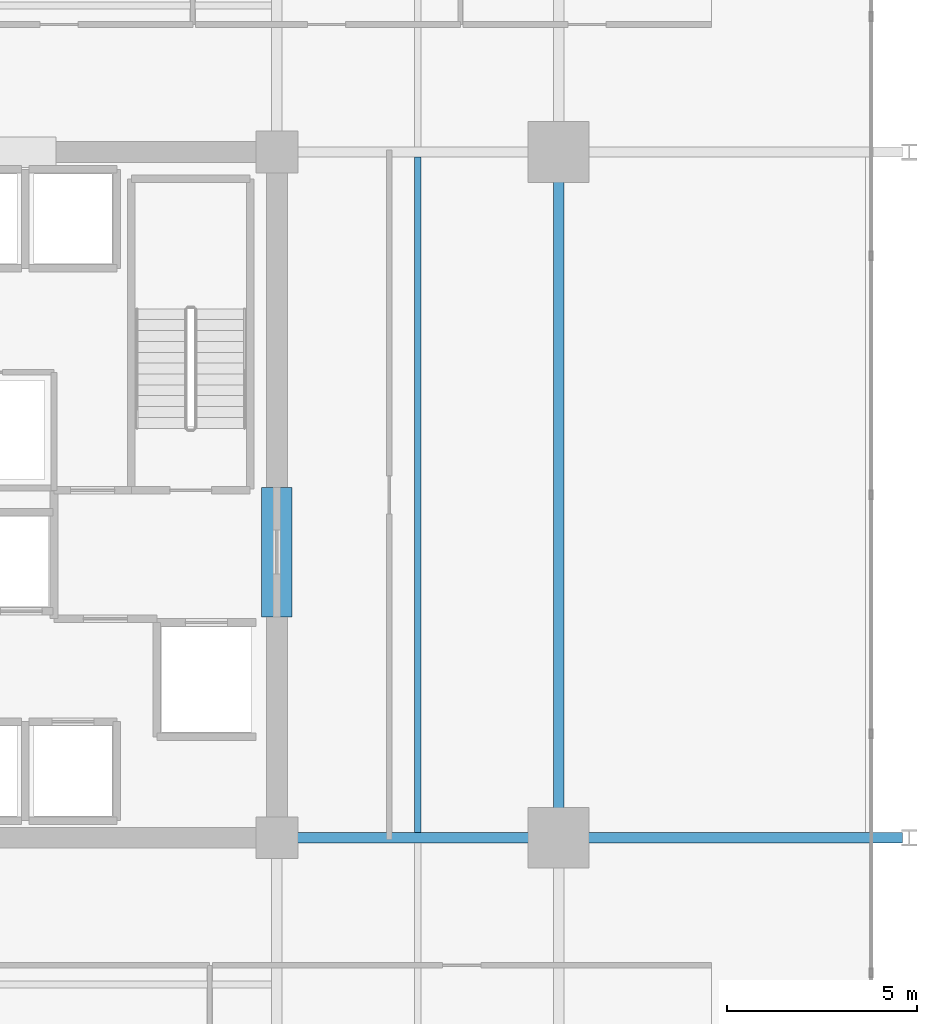
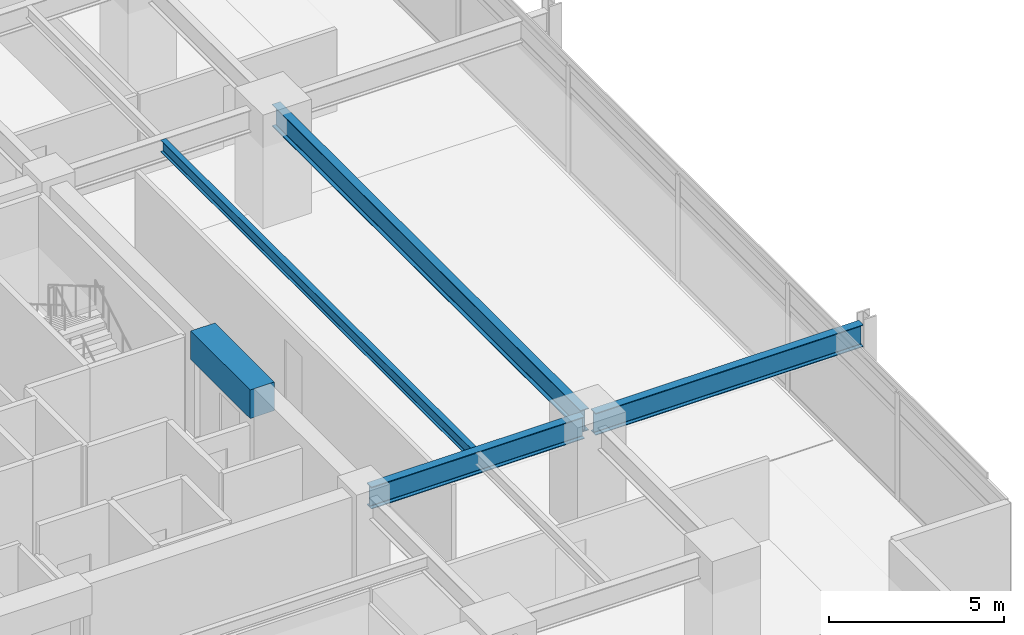
# One storey, part 8 of 21: 5 beams.
"""IFC4 building model written with IfcOpenShell, lengths in metres."""

from ifc_helpers import new_model, si_unit, direction, frame, origin, origin_2d, place, context, subcontext, project, spatial, rectangle, i_section, extrude, material, material_profile, profile_set, type_object, element, save


model = new_model("IFC4")

# Units and contexts
model_context = context("Model", 3, precision=1e-05, world=origin(), true_north=direction((0.0, 1.0)))
body_context = subcontext(model_context, "Body", "Model", "MODEL_VIEW")
ifc_project = project(units=[si_unit("LENGTHUNIT", "METRE"), si_unit("AREAUNIT", "SQUARE_METRE"), si_unit("VOLUMEUNIT", "CUBIC_METRE"), si_unit("PLANEANGLEUNIT", "RADIAN"), si_unit("MASSUNIT", "GRAM", prefix="KILO")], contexts=[model_context])

# Site, building, storey
site_placement = place(None, origin())
site = spatial("IfcSite", under=ifc_project, at=site_placement, CompositionType="ELEMENT")
building_placement = place(site_placement, origin())
building = spatial("IfcBuilding", under=site, at=building_placement, Name="Kovane Verandah Tower", CompositionType="ELEMENT")
storey_placement = place(building_placement, frame((0.0, 0.0, 152.39990234375)))
storey = spatial("IfcBuildingStorey", under=building, at=storey_placement, Name="L35", CompositionType="ELEMENT", Elevation=152.39990234375)

# Beams
ifc_material_1 = material(Name="Concrete C60/75", Category="concrete")
ifc_material_profile_1 = material_profile(ifc_material_1, rectangle(XDim=0.800048828125, YDim=1.0, at=origin_2d()), Name="RCB800x1000")
ifc_profile_set_1 = profile_set([ifc_material_profile_1], Name="Concrete C60/75")
beam_type_1 = type_object("IfcBeamType", Name="BM-LINTEL-800x1000", PredefinedType="LINTEL", material=ifc_profile_set_1)
beam_1_placement = place(storey_placement, frame((51.0, 24.300048828125, 3.275146484375), z_axis=(0.0, 1.0, 0.0), x_axis=(-1.0, 0.0, 0.0)))
element("IfcBeam", 1, at=beam_1_placement, inside=storey, type_object=beam_type_1, Name="L35 Core Coupling Lintel CL-E", PredefinedType="LINTEL", context=body_context, shape_type="SweptSolid", body=[
    extrude(rectangle(XDim=0.800048828125, YDim=1.0, at=origin_2d()), origin(), (0.0, 0.0, 1.0), 3.39990234375),
])
ifc_material_2 = material(Name="Steel S355", Category="steel")
ifc_material_profile_2 = material_profile(ifc_material_2, i_section(OverallWidth=0.26806640625, OverallDepth=0.769775390625, WebThickness=0.015625, FlangeThickness=0.025390625, FilletRadius=0.0166015625, at=origin_2d()), Name="UB762x267x197")
ifc_profile_set_2 = profile_set([ifc_material_profile_2], Name="Steel S355")
beam_type_2 = type_object("IfcBeamType", Name="BM-UB762x197", PredefinedType="BEAM", material=ifc_profile_set_2)
beam_2_placement = place(storey_placement, frame((58.39990234375, 18.679931640625, 3.39013671875), z_axis=(0.0, 1.0, 0.0), x_axis=(-1.0, 0.0, 0.0)))
element("IfcBeam", 2, at=beam_2_placement, inside=storey, type_object=beam_type_2, Name="L35 Primary Tower Girder G-RE2", PredefinedType="BEAM", context=body_context, shape_type="SweptSolid", body=[
    extrude(i_section(OverallWidth=0.26806640625, OverallDepth=0.769775390625, WebThickness=0.015625, FlangeThickness=0.025390625, FilletRadius=0.0166015625, at=origin_2d()), origin(), (0.0, 0.0, 1.0), 17.64013671875),
])
beam_3_placement = place(storey_placement, frame((51.179931640625, 18.5, 3.39013671875), z_axis=(1.0, 0.0, 0.0), x_axis=(0.0, 1.0, 0.0)))
element("IfcBeam", 3, at=beam_3_placement, inside=storey, type_object=beam_type_2, Name="L35 Primary Tower Girder G-E1", PredefinedType="BEAM", context=body_context, shape_type="SweptSolid", body=[
    extrude(i_section(OverallWidth=0.26806640625, OverallDepth=0.769775390625, WebThickness=0.015625, FlangeThickness=0.025390625, FilletRadius=0.0166015625, at=origin_2d()), origin(), (0.0, 0.0, 1.0), 7.0400390625),
])
beam_4_placement = place(storey_placement, frame((58.580078125, 18.5, 3.375244140625), z_axis=(1.0, 0.0, 0.0), x_axis=(0.0, 1.0, 0.0)))
element("IfcBeam", 4, at=beam_4_placement, inside=storey, type_object=beam_type_2, Name="L35 Primary Tower Girder G-VE1", PredefinedType="BEAM", context=body_context, shape_type="SweptSolid", body=[
    extrude(i_section(OverallWidth=0.26806640625, OverallDepth=0.769775390625, WebThickness=0.015625, FlangeThickness=0.025390625, FilletRadius=0.0166015625, at=origin_2d()), origin(), (0.0, 0.0, 1.0), 8.83984375),
])
ifc_material_profile_3 = material_profile(ifc_material_2, i_section(OverallWidth=0.179443359375, OverallDepth=0.412841796875, WebThickness=0.009521484375, FlangeThickness=0.01611328125, FilletRadius=0.01025390625, at=origin_2d()), Name="UB406x178x74")
ifc_profile_set_3 = profile_set([ifc_material_profile_3], Name="Steel S355")
beam_type_3 = type_object("IfcBeamType", Name="JST-UB406x74", PredefinedType="JOIST", material=ifc_profile_set_3)
beam_5_placement = place(storey_placement, frame((54.699951171875, 18.632080078125, 3.568603515625), z_axis=(0.0, 1.0, 0.0), x_axis=(-1.0, 0.0, 0.0)))
element("IfcBeam", 5, at=beam_5_placement, inside=storey, type_object=beam_type_3, Name="L35 Secondary Composite Joist J-E1", PredefinedType="JOIST", context=body_context, shape_type="SweptSolid", body=[
    extrude(i_section(OverallWidth=0.179443359375, OverallDepth=0.412841796875, WebThickness=0.009521484375, FlangeThickness=0.01611328125, FilletRadius=0.01025390625, at=origin_2d()), origin(), (0.0, 0.0, 1.0), 17.73583984375),
])

save(model, "model.ifc")
